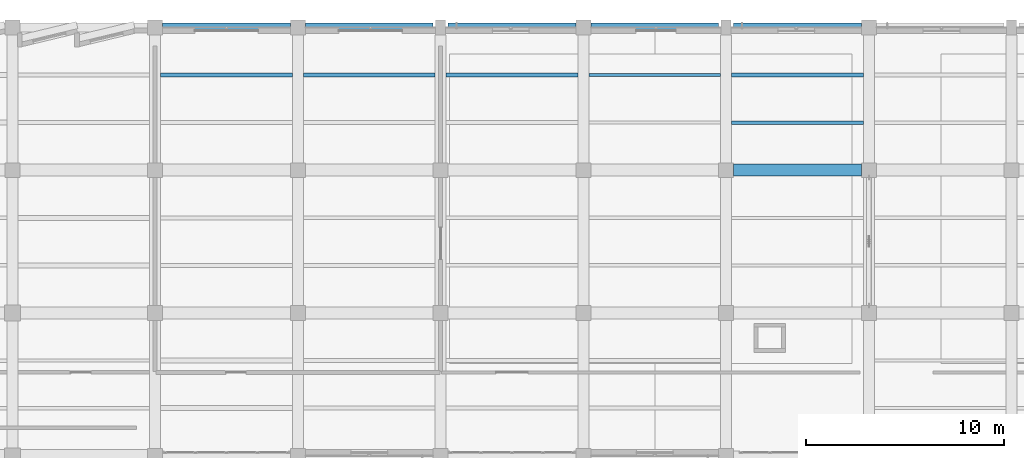
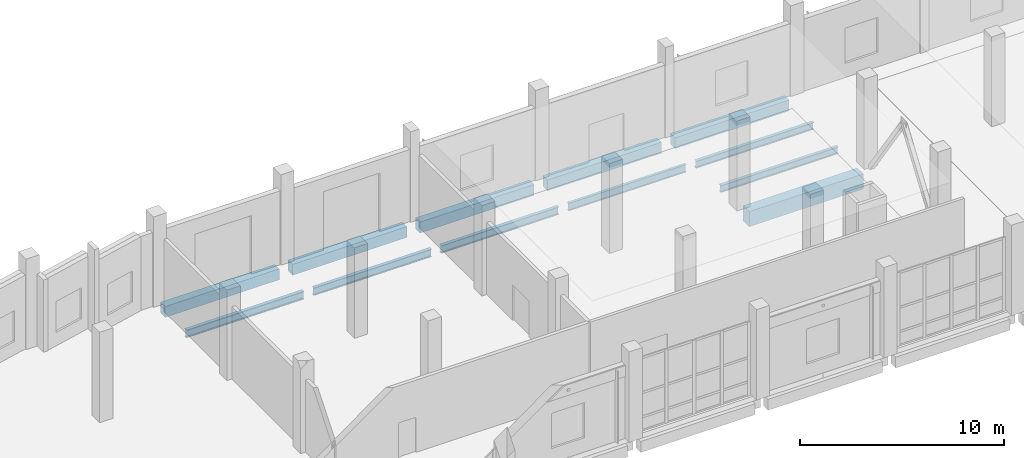
# One storey, part 54 of 137: 12 beams.
"""IFC4 building model written with IfcOpenShell, lengths in metres."""

from ifc_helpers import new_model, si_unit, direction, frame, origin, origin_2d, place, context, subcontext, project, spatial, rectangle, i_section, extrude, material, material_profile, profile_set, type_object, element, save


model = new_model("IFC4")

# Units and contexts
model_context = context("Model", 3, precision=1e-05, world=origin(), true_north=direction((0.0, 1.0)))
body_context = subcontext(model_context, "Body", "Model", "MODEL_VIEW")
ifc_project = project(units=[si_unit("LENGTHUNIT", "METRE"), si_unit("AREAUNIT", "SQUARE_METRE"), si_unit("VOLUMEUNIT", "CUBIC_METRE"), si_unit("PLANEANGLEUNIT", "RADIAN"), si_unit("MASSUNIT", "GRAM", prefix="KILO")], contexts=[model_context])

# Site, building, storey
site_placement = place(None, origin())
site = spatial("IfcSite", under=ifc_project, at=site_placement, CompositionType="ELEMENT")
building_placement = place(site_placement, origin())
building = spatial("IfcBuilding", under=site, at=building_placement, Name="Kalmorath City Hall", CompositionType="ELEMENT")
storey_placement = place(building_placement, origin())
storey = spatial("IfcBuildingStorey", under=building, at=storey_placement, Name="L00", CompositionType="ELEMENT", Elevation=0.0)

# Beams
ifc_material_1 = material(Name="Concrete C40/50", Category="concrete")
ifc_material_profile_1 = material_profile(ifc_material_1, rectangle(XDim=0.60009765625, YDim=0.89990234375, at=origin_2d()), Name="RC-BM-600X900")
ifc_profile_set_1 = profile_set([ifc_material_profile_1], Name="Concrete C40/50")
beam_type_1 = type_object("IfcBeamType", Name="Concrete floor girder 600x900", PredefinedType="BEAM", material=ifc_profile_set_1)
beam_1_placement = place(storey_placement, frame((57.97509765625, 108.0, -0.75390625), z_axis=(1.0, 0.0, 0.0), x_axis=(0.0, 1.0, 0.0)))
element("IfcBeam", 1, at=beam_1_placement, inside=storey, type_object=beam_type_1, Name="L00 girder CB1 X9-10/16", PredefinedType="BEAM", context=body_context, shape_type="SweptSolid", body=[
    extrude(rectangle(XDim=0.60009765625, YDim=0.89990234375, at=origin_2d()), origin(), (0.0, 0.0, 1.0), 6.449951171875),
])
ifc_material_2 = material(Name="Concrete C40/50", Category="concrete")
ifc_material_profile_2 = material_profile(ifc_material_2, rectangle(XDim=0.449951171875, YDim=0.64990234375, at=origin_2d()), Name="RC-BM-450X650")
ifc_profile_set_2 = profile_set([ifc_material_profile_2], Name="Concrete C40/50")
beam_type_2 = type_object("IfcBeamType", Name="Concrete spandrel beam 450x650", PredefinedType="SPANDREL", material=ifc_profile_set_2)
for number, where, z_axis, x_axis, name in (
    (2, (29.175048828125, 115.199951171875, -0.62890625), (1.0, 0.0, 0.0), (0.0, 1.0, 0.0), "L00 girder CB5 X5-6/17"),
    (3, (36.375, 115.199951171875, -0.62890625), (1.0, 0.0, 0.0), (0.0, 1.0, 0.0), "L00 girder CB5 X6-7/17"),
    (4, (43.574951171875, 115.199951171875, -0.62890625), (1.0, 0.0, 0.0), (0.0, 1.0, 0.0), "L00 girder CB5 X7-8/17"),
):
    element("IfcBeam", number, at=place(storey_placement, frame(where, z_axis=z_axis, x_axis=x_axis)), inside=storey, type_object=beam_type_2, Name=name, PredefinedType="SPANDREL", context=body_context, shape_type="SweptSolid", body=[
        extrude(rectangle(XDim=0.449951171875, YDim=0.64990234375, at=origin_2d()), origin(), (0.0, 0.0, 1.0), 6.449951171875),
    ])
beam_2_placement = place(storey_placement, frame((50.77490234375, 115.199951171875, -0.62890625), z_axis=(1.0, 0.0, 0.0), x_axis=(0.0, 1.0, 0.0)))
element("IfcBeam", 5, at=beam_2_placement, inside=storey, type_object=beam_type_2, Name="L00 girder CB5 X8-9/17", PredefinedType="SPANDREL", context=body_context, shape_type="SweptSolid", body=[
    extrude(rectangle(XDim=0.449951171875, YDim=0.64990234375, at=origin_2d()), origin(), (0.0, 0.0, 1.0), 6.4501953125),
])
beam_3_placement = place(storey_placement, frame((57.97509765625, 115.199951171875, -0.62890625), z_axis=(1.0, 0.0, 0.0), x_axis=(0.0, 1.0, 0.0)))
element("IfcBeam", 6, at=beam_3_placement, inside=storey, type_object=beam_type_2, Name="L00 girder CB5 X9-10/17", PredefinedType="SPANDREL", context=body_context, shape_type="SweptSolid", body=[
    extrude(rectangle(XDim=0.449951171875, YDim=0.64990234375, at=origin_2d()), origin(), (0.0, 0.0, 1.0), 6.449951171875),
])
ifc_material_3 = material(Name="Steel ASTM A992 Grade 50", Category="steel")
ifc_material_profile_3 = material_profile(ifc_material_3, i_section(OverallWidth=0.180908203125, OverallDepth=0.4169921875, WebThickness=0.010986328125, FlangeThickness=0.018310546875, FilletRadius=0.012939453125, at=origin_2d()), Name="W16X57")
ifc_profile_set_3 = profile_set([ifc_material_profile_3], Name="Steel ASTM A992 Grade 50")
beam_type_3 = type_object("IfcBeamType", Name="Steel composite joist W16X57", PredefinedType="JOIST", material=ifc_profile_set_3)
for number, where, z_axis, x_axis, name in (
    (7, (57.875, 110.39990234375, -0.512451171875), (1.0, 0.0, 0.0), (0.0, 1.0, 0.0), "L00 joist SJ5 9.16.1"),
    (8, (57.875, 112.800048828125, -0.512451171875), (1.0, 0.0, 0.0), (0.0, 1.0, 0.0), "L00 joist SJ5 9.16.2"),
):
    element("IfcBeam", number, at=place(storey_placement, frame(where, z_axis=z_axis, x_axis=x_axis)), inside=storey, type_object=beam_type_3, Name=name, PredefinedType="JOIST", context=body_context, shape_type="SweptSolid", body=[
        extrude(i_section(OverallWidth=0.180908203125, OverallDepth=0.4169921875, WebThickness=0.010986328125, FlangeThickness=0.018310546875, FilletRadius=0.012939453125, at=origin_2d()), origin(), (0.0, 0.0, 1.0), 6.64990234375),
    ])
ifc_material_4 = material(Name="Steel ASTM A992 Grade 50", Category="steel")
ifc_material_profile_4 = material_profile(ifc_material_4, i_section(OverallWidth=0.153076171875, OverallDepth=0.455078125, WebThickness=0.008056640625, FlangeThickness=0.01318359375, FilletRadius=0.013916015625, at=origin_2d()), Name="W18X40")
ifc_profile_set_4 = profile_set([ifc_material_profile_4], Name="Steel ASTM A992 Grade 50")
beam_type_4 = type_object("IfcBeamType", Name="Steel composite joist W18X40", PredefinedType="JOIST", material=ifc_profile_set_4)
beam_4_placement = place(storey_placement, frame((50.675048828125, 112.800048828125, -0.531494140625), z_axis=(1.0, 0.0, 0.0), x_axis=(0.0, 1.0, 0.0)))
element("IfcBeam", 9, at=beam_4_placement, inside=storey, type_object=beam_type_4, Name="L00 joist SJ4 8.16.2", PredefinedType="JOIST", context=body_context, shape_type="SweptSolid", body=[
    extrude(i_section(OverallWidth=0.153076171875, OverallDepth=0.455078125, WebThickness=0.008056640625, FlangeThickness=0.01318359375, FilletRadius=0.013916015625, at=origin_2d()), origin(), (0.0, 0.0, 1.0), 6.64990234375),
])
ifc_material_5 = material(Name="Steel ASTM A992 Grade 50", Category="steel")
ifc_material_profile_5 = material_profile(ifc_material_5, i_section(OverallWidth=0.19091796875, OverallDepth=0.45703125, WebThickness=0.009033203125, FlangeThickness=0.014404296875, FilletRadius=0.013916015625, at=origin_2d()), Name="W18X50")
ifc_profile_set_5 = profile_set([ifc_material_profile_5], Name="Steel ASTM A992 Grade 50")
beam_type_5 = type_object("IfcBeamType", Name="Steel composite joist W18X50", PredefinedType="JOIST", material=ifc_profile_set_5)
beam_5_placement = place(storey_placement, frame((43.47509765625, 112.800048828125, -0.532470703125), z_axis=(1.0, 0.0, 0.0), x_axis=(0.0, 1.0, 0.0)))
element("IfcBeam", 10, at=beam_5_placement, inside=storey, type_object=beam_type_5, Name="L00 joist SJ3 7.16.2", PredefinedType="JOIST", context=body_context, shape_type="SweptSolid", body=[
    extrude(i_section(OverallWidth=0.19091796875, OverallDepth=0.45703125, WebThickness=0.009033203125, FlangeThickness=0.014404296875, FilletRadius=0.013916015625, at=origin_2d()), origin(), (0.0, 0.0, 1.0), 6.64990234375),
])
ifc_material_6 = material(Name="Steel ASTM A992 Grade 50", Category="steel")
ifc_material_profile_6 = material_profile(ifc_material_6, i_section(OverallWidth=0.19091796875, OverallDepth=0.4599609375, WebThickness=0.010009765625, FlangeThickness=0.01611328125, FilletRadius=0.013916015625, at=origin_2d()), Name="W18X55")
ifc_profile_set_6 = profile_set([ifc_material_profile_6], Name="Steel ASTM A992 Grade 50")
beam_type_6 = type_object("IfcBeamType", Name="Steel composite joist W18X55", PredefinedType="JOIST", material=ifc_profile_set_6)
beam_6_placement = place(storey_placement, frame((36.27490234375, 112.800048828125, -0.533935546875), z_axis=(1.0, 0.0, 0.0), x_axis=(0.0, 1.0, 0.0)))
element("IfcBeam", 11, at=beam_6_placement, inside=storey, type_object=beam_type_6, Name="L00 joist SJ2 6.16.2", PredefinedType="JOIST", context=body_context, shape_type="SweptSolid", body=[
    extrude(i_section(OverallWidth=0.19091796875, OverallDepth=0.4599609375, WebThickness=0.010009765625, FlangeThickness=0.01611328125, FilletRadius=0.013916015625, at=origin_2d()), origin(), (0.0, 0.0, 1.0), 6.650146484375),
])
ifc_material_7 = material(Name="Steel ASTM A992 Grade 50", Category="steel")
ifc_material_profile_7 = material_profile(ifc_material_7, i_section(OverallWidth=0.193115234375, OverallDepth=0.466064453125, WebThickness=0.011474609375, FlangeThickness=0.01904296875, FilletRadius=0.013916015625, at=origin_2d()), Name="W18X65")
ifc_profile_set_7 = profile_set([ifc_material_profile_7], Name="Steel ASTM A992 Grade 50")
beam_type_7 = type_object("IfcBeamType", Name="Steel composite joist W18X65", PredefinedType="JOIST", material=ifc_profile_set_7)
beam_7_placement = place(storey_placement, frame((29.074951171875, 112.800048828125, -0.537109375), z_axis=(1.0, 0.0, 0.0), x_axis=(0.0, 1.0, 0.0)))
element("IfcBeam", 12, at=beam_7_placement, inside=storey, type_object=beam_type_7, Name="L00 joist SJ1 5.16.2", PredefinedType="JOIST", context=body_context, shape_type="SweptSolid", body=[
    extrude(i_section(OverallWidth=0.193115234375, OverallDepth=0.466064453125, WebThickness=0.011474609375, FlangeThickness=0.01904296875, FilletRadius=0.013916015625, at=origin_2d()), origin(), (0.0, 0.0, 1.0), 6.650146484375),
])

save(model, "model.ifc")
